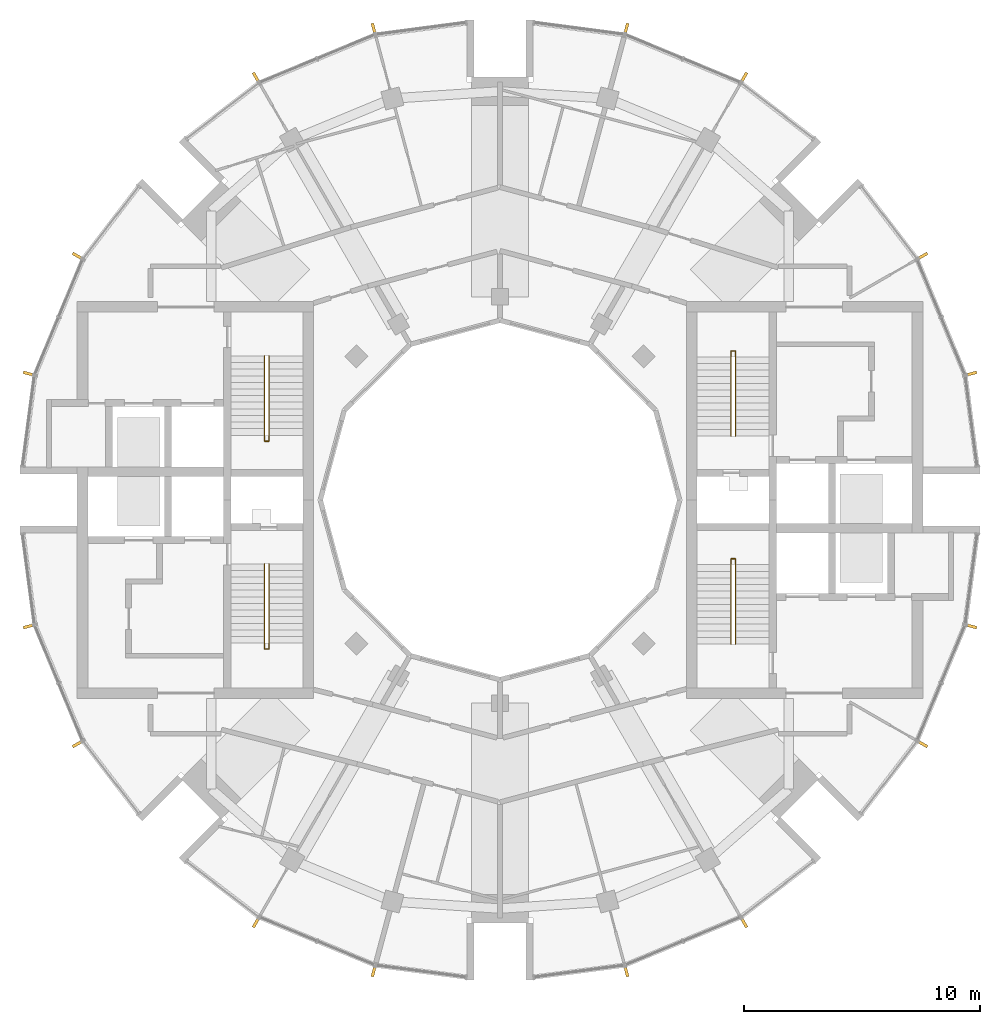
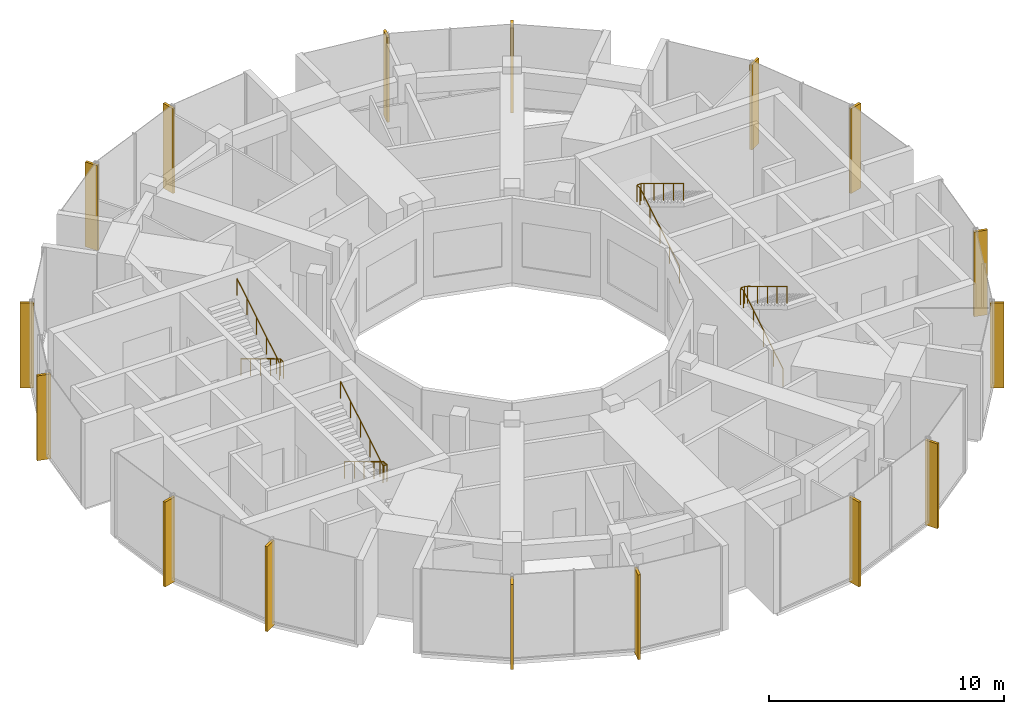
# One storey, part 12 of 13: 16 shading devices, 4 railings.
"""IFC4 building model written with IfcOpenShell, lengths in metres."""

from ifc_helpers import new_model, si_unit, direction, frame, origin, origin_2d, place, context, subcontext, project, spatial, rectangle, circle, extrude, material, material_profile, profile_set, type_object, element, save


model = new_model("IFC4")

# Units and contexts
model_context = context("Model", 3, precision=1e-05, world=origin(), true_north=direction((0.0, 1.0)))
body_context = subcontext(model_context, "Body", "Model", "MODEL_VIEW")
ifc_project = project(units=[si_unit("LENGTHUNIT", "METRE"), si_unit("AREAUNIT", "SQUARE_METRE"), si_unit("VOLUMEUNIT", "CUBIC_METRE"), si_unit("PLANEANGLEUNIT", "RADIAN"), si_unit("MASSUNIT", "GRAM", prefix="KILO")], contexts=[model_context])

# Site, building, storey
site_placement = place(None, origin())
site = spatial("IfcSite", under=ifc_project, at=site_placement, CompositionType="ELEMENT")
building_placement = place(site_placement, origin())
building = spatial("IfcBuilding", under=site, at=building_placement, Name="Torre Brocal", CompositionType="ELEMENT")
storey_placement = place(building_placement, frame((0.0, 0.0, 323.699951171875)))
storey = spatial("IfcBuildingStorey", under=building, at=storey_placement, Name="L74", CompositionType="ELEMENT", Elevation=323.699951171875)

# Shading devices
ifc_material_1 = material(Name="Aluminium, black anodised", Category="aluminium")
ifc_material_profile = material_profile(ifc_material_1, rectangle(XDim=0.1201171875, YDim=0.60009765625, at=origin_2d()), Name="FIN 120X600 4400 HIGH")
ifc_profile_set = profile_set([ifc_material_profile], Name="Aluminium, black anodised")
shading_device_type = type_object("IfcShadingDeviceType", Name="FIN 120X600 4400 HIGH", PredefinedType="USERDEFINED", material=ifc_profile_set)
for number, where, z_axis, x_axis, name in (
    (1, (99.896484375, 80.331298828125, -0.14990234375), (0.0, 0.0, 1.0), (-0.258819045103, 0.965925826289, 0.0), "FIN"),
    (2, (97.838623046875, 85.299072265625, -0.14990234375), (0.0, 0.0, 1.0), (-0.5, 0.866025403784, 0.0), "FIN"),
    (3, (90.299072265625, 92.838623046875, -0.14990234375), (0.0, 0.0, 1.0), (-0.866025403784, 0.5, 0.0), "FIN"),
    (4, (85.331298828125, 94.896484375, -0.14990234375), (0.0, 0.0, 1.0), (-0.965925826289, 0.258819045103, 0.0), "FIN"),
    (5, (74.668701171875, 94.896484375, -0.14990234375), (0.0, 0.0, 1.0), (-0.965925826289, -0.258819045103, 0.0), "FIN"),
    (6, (69.700927734375, 92.838623046875, -0.14990234375), (0.0, 0.0, 1.0), (-0.866025403784, -0.5, 0.0), "FIN"),
    (7, (62.161376953125, 85.299072265625, -0.14990234375), (0.0, 0.0, 1.0), (-0.5, -0.866025403784, 0.0), "FIN"),
    (8, (60.103515625, 80.331298828125, -0.14990234375), (0.0, 0.0, 1.0), (-0.258819045103, -0.965925826289, 0.0), "FIN"),
    (9, (60.103515625, 69.668701171875, -0.14990234375), (0.0, 0.0, 1.0), (0.258819045103, -0.965925826289, 0.0), "FIN"),
    (10, (62.161376953125, 64.700927734375, -0.14990234375), (0.0, 0.0, 1.0), (0.5, -0.866025403784, 0.0), "FIN"),
    (11, (69.700927734375, 57.161376953125, -0.14990234375), (0.0, 0.0, 1.0), (0.866025403784, -0.5, 0.0), "FIN"),
    (12, (74.668701171875, 55.103515625, -0.14990234375), (0.0, 0.0, 1.0), (0.965925826289, -0.258819045103, 0.0), "FIN"),
    (13, (85.331298828125, 55.103515625, -0.14990234375), (0.0, 0.0, 1.0), (0.965925826289, 0.258819045103, 0.0), "FIN"),
    (14, (90.299072265625, 57.161376953125, -0.14990234375), (0.0, 0.0, 1.0), (0.866025403784, 0.5, 0.0), "FIN"),
    (15, (97.838623046875, 64.700927734375, -0.14990234375), (0.0, 0.0, 1.0), (0.5, 0.866025403784, 0.0), "FIN"),
    (16, (99.896484375, 69.668701171875, -0.14990234375), (0.0, 0.0, 1.0), (0.258819045103, 0.965925826289, 0.0), "FIN"),
):
    element("IfcShadingDevice", number, at=place(storey_placement, frame(where, z_axis=z_axis, x_axis=x_axis)), inside=storey, type_object=shading_device_type, Name=name, ObjectType="FIN", PredefinedType="USERDEFINED", context=body_context, shape_type="SweptSolid", body=[
        extrude(rectangle(XDim=0.1201171875, YDim=0.60009765625, at=origin_2d()), origin(), (0.0, 0.0, 1.0), 4.39990234375),
    ])

# Railings
ifc_material_2 = material(Name="Stainless steel AISI 316", Category="steel")
railing_type = type_object("IfcRailingType", Name="STAIR HANDRAIL", PredefinedType="HANDRAIL", material=ifc_material_2)
railing_1_placement = place(storey_placement, frame((89.780029296875, 77.699951171875, 0.169189453125)))
element("IfcRailing", 17, at=railing_1_placement, inside=storey, type_object=railing_type, Name="HANDRAIL ST1", PredefinedType="HANDRAIL", context=body_context, shape_type="SweptSolid", body=[
    extrude(circle(Radius=0.02392578125, at=origin_2d()), frame((0.0, 0.0, 0.8759765625), z_axis=(0.0, 0.855836976705, 0.517245656632), x_axis=(-1.0, 0.0, 0.0)), (0.0, 0.0, 1.0), 3.926025390625),
    extrude(circle(Radius=0.02392578125, at=origin_2d()), frame((0.0, 3.360107421875, 2.90673828125), z_axis=(0.0, 1.0, 0.0), x_axis=(-1.0, 0.0, 0.0)), (0.0, 0.0, 1.0), 0.25),
    extrude(circle(Radius=0.02392578125, at=origin_2d()), frame((0.0, 3.610107421875, 2.90673828125), z_axis=(1.0, 0.0, 0.0), x_axis=(0.0, 1.0, 0.0)), (0.0, 0.0, 1.0), 0.18994140625),
    extrude(circle(Radius=0.02392578125, at=origin_2d()), frame((0.18994140625, 3.610107421875, 2.90673828125), z_axis=(0.0, -0.827797584762, 0.561026878735), x_axis=(1.0, 0.0, 0.0)), (0.0, 0.0, 1.0), 0.302001953125),
    extrude(circle(Radius=0.02392578125, at=origin_2d()), frame((0.18994140625, 3.360107421875, 3.076171875), z_axis=(0.0, -0.855836976705, 0.517245656632), x_axis=(1.0, 0.0, 0.0)), (0.0, 0.0, 1.0), 3.926025390625),
    extrude(circle(Radius=0.02099609375, at=origin_2d()), origin(), (0.0, 0.0, 1.0), 0.851806640625),
    extrude(circle(Radius=0.02099609375, at=origin_2d()), frame((0.0, 0.840087890625, 0.5078125)), (0.0, 0.0, 1.0), 0.851806640625),
    extrude(circle(Radius=0.02099609375, at=origin_2d()), frame((0.0, 1.68017578125, 1.015380859375)), (0.0, 0.0, 1.0), 0.851806640625),
    extrude(circle(Radius=0.02099609375, at=origin_2d()), frame((0.0, 2.52001953125, 1.52294921875)), (0.0, 0.0, 1.0), 0.851806640625),
    extrude(circle(Radius=0.02099609375, at=origin_2d()), frame((0.0, 3.360107421875, 2.03076171875)), (0.0, 0.0, 1.0), 0.851806640625),
    extrude(circle(Radius=0.02099609375, at=origin_2d()), frame((0.0, 3.610107421875, 2.03076171875)), (0.0, 0.0, 1.0), 0.851806640625),
    extrude(circle(Radius=0.02099609375, at=origin_2d()), frame((0.18994140625, 3.610107421875, 2.03076171875)), (0.0, 0.0, 1.0), 0.851806640625),
    extrude(circle(Radius=0.02099609375, at=origin_2d()), frame((0.18994140625, 3.360107421875, 2.2001953125)), (0.0, 0.0, 1.0), 0.851806640625),
    extrude(circle(Radius=0.02099609375, at=origin_2d()), frame((0.18994140625, 2.52001953125, 2.7080078125)), (0.0, 0.0, 1.0), 0.851806640625),
    extrude(circle(Radius=0.02099609375, at=origin_2d()), frame((0.18994140625, 1.68017578125, 3.215576171875)), (0.0, 0.0, 1.0), 0.851806640625),
    extrude(circle(Radius=0.02099609375, at=origin_2d()), frame((0.18994140625, 0.840087890625, 3.72314453125)), (0.0, 0.0, 1.0), 0.851806640625),
    extrude(circle(Radius=0.02099609375, at=origin_2d()), frame((0.18994140625, 0.0, 4.23095703125)), (0.0, 0.0, 1.0), 0.851806640625),
])
railing_2_placement = place(storey_placement, frame((89.780029296875, 68.89990234375, 0.169189453125)))
element("IfcRailing", 18, at=railing_2_placement, inside=storey, type_object=railing_type, Name="HANDRAIL ST2", PredefinedType="HANDRAIL", context=body_context, shape_type="SweptSolid", body=[
    extrude(circle(Radius=0.02392578125, at=origin_2d()), frame((0.0, 0.0, 0.8759765625), z_axis=(0.0, 0.855836976705, 0.517245656632), x_axis=(-1.0, 0.0, 0.0)), (0.0, 0.0, 1.0), 3.926025390625),
    extrude(circle(Radius=0.02392578125, at=origin_2d()), frame((0.0, 3.360107421875, 2.90673828125), z_axis=(0.0, 1.0, 0.0), x_axis=(-1.0, 0.0, 0.0)), (0.0, 0.0, 1.0), 0.25),
    extrude(circle(Radius=0.02392578125, at=origin_2d()), frame((0.0, 3.610107421875, 2.90673828125), z_axis=(1.0, 0.0, 0.0), x_axis=(0.0, 1.0, 0.0)), (0.0, 0.0, 1.0), 0.18994140625),
    extrude(circle(Radius=0.02392578125, at=origin_2d()), frame((0.18994140625, 3.610107421875, 2.90673828125), z_axis=(0.0, -0.827797584762, 0.561026878735), x_axis=(1.0, 0.0, 0.0)), (0.0, 0.0, 1.0), 0.302001953125),
    extrude(circle(Radius=0.02392578125, at=origin_2d()), frame((0.18994140625, 3.360107421875, 3.076171875), z_axis=(0.0, -0.855836976705, 0.517245656632), x_axis=(1.0, 0.0, 0.0)), (0.0, 0.0, 1.0), 3.926025390625),
    extrude(circle(Radius=0.02099609375, at=origin_2d()), origin(), (0.0, 0.0, 1.0), 0.851806640625),
    extrude(circle(Radius=0.02099609375, at=origin_2d()), frame((0.0, 0.840087890625, 0.5078125)), (0.0, 0.0, 1.0), 0.851806640625),
    extrude(circle(Radius=0.02099609375, at=origin_2d()), frame((0.0, 1.68017578125, 1.015380859375)), (0.0, 0.0, 1.0), 0.851806640625),
    extrude(circle(Radius=0.02099609375, at=origin_2d()), frame((0.0, 2.52001953125, 1.52294921875)), (0.0, 0.0, 1.0), 0.851806640625),
    extrude(circle(Radius=0.02099609375, at=origin_2d()), frame((0.0, 3.360107421875, 2.03076171875)), (0.0, 0.0, 1.0), 0.851806640625),
    extrude(circle(Radius=0.02099609375, at=origin_2d()), frame((0.0, 3.610107421875, 2.03076171875)), (0.0, 0.0, 1.0), 0.851806640625),
    extrude(circle(Radius=0.02099609375, at=origin_2d()), frame((0.18994140625, 3.610107421875, 2.03076171875)), (0.0, 0.0, 1.0), 0.851806640625),
    extrude(circle(Radius=0.02099609375, at=origin_2d()), frame((0.18994140625, 3.360107421875, 2.2001953125)), (0.0, 0.0, 1.0), 0.851806640625),
    extrude(circle(Radius=0.02099609375, at=origin_2d()), frame((0.18994140625, 2.52001953125, 2.7080078125)), (0.0, 0.0, 1.0), 0.851806640625),
    extrude(circle(Radius=0.02099609375, at=origin_2d()), frame((0.18994140625, 1.68017578125, 3.215576171875)), (0.0, 0.0, 1.0), 0.851806640625),
    extrude(circle(Radius=0.02099609375, at=origin_2d()), frame((0.18994140625, 0.840087890625, 3.72314453125)), (0.0, 0.0, 1.0), 0.851806640625),
    extrude(circle(Radius=0.02099609375, at=origin_2d()), frame((0.18994140625, 0.0, 4.23095703125)), (0.0, 0.0, 1.0), 0.851806640625),
])
railing_3_placement = place(storey_placement, frame((70.219970703125, 72.300048828125, 0.169189453125)))
element("IfcRailing", 19, at=railing_3_placement, inside=storey, type_object=railing_type, Name="HANDRAIL ST3", PredefinedType="HANDRAIL", context=body_context, shape_type="SweptSolid", body=[
    extrude(circle(Radius=0.02392578125, at=origin_2d()), frame((0.0, 0.0, 0.8759765625), z_axis=(0.0, -0.855836976705, 0.517245656632), x_axis=(1.0, 0.0, 0.0)), (0.0, 0.0, 1.0), 3.926025390625),
    extrude(circle(Radius=0.02392578125, at=origin_2d()), frame((0.0, -3.360107421875, 2.90673828125), z_axis=(0.0, -1.0, 0.0), x_axis=(1.0, 0.0, 0.0)), (0.0, 0.0, 1.0), 0.25),
    extrude(circle(Radius=0.02392578125, at=origin_2d()), frame((0.0, -3.610107421875, 2.90673828125), z_axis=(-1.0, 0.0, 0.0), x_axis=(0.0, -1.0, 0.0)), (0.0, 0.0, 1.0), 0.18994140625),
    extrude(circle(Radius=0.02392578125, at=origin_2d()), frame((-0.18994140625, -3.610107421875, 2.90673828125), z_axis=(0.0, 0.827797584762, 0.561026878735), x_axis=(-1.0, 0.0, 0.0)), (0.0, 0.0, 1.0), 0.302001953125),
    extrude(circle(Radius=0.02392578125, at=origin_2d()), frame((-0.18994140625, -3.360107421875, 3.076171875), z_axis=(0.0, 0.855836976705, 0.517245656632), x_axis=(-1.0, 0.0, 0.0)), (0.0, 0.0, 1.0), 3.926025390625),
    extrude(circle(Radius=0.02099609375, at=origin_2d()), origin(), (0.0, 0.0, 1.0), 0.851806640625),
    extrude(circle(Radius=0.02099609375, at=origin_2d()), frame((0.0, -0.840087890625, 0.5078125)), (0.0, 0.0, 1.0), 0.851806640625),
    extrude(circle(Radius=0.02099609375, at=origin_2d()), frame((0.0, -1.68017578125, 1.015380859375)), (0.0, 0.0, 1.0), 0.851806640625),
    extrude(circle(Radius=0.02099609375, at=origin_2d()), frame((0.0, -2.52001953125, 1.52294921875)), (0.0, 0.0, 1.0), 0.851806640625),
    extrude(circle(Radius=0.02099609375, at=origin_2d()), frame((0.0, -3.360107421875, 2.03076171875)), (0.0, 0.0, 1.0), 0.851806640625),
    extrude(circle(Radius=0.02099609375, at=origin_2d()), frame((0.0, -3.610107421875, 2.03076171875)), (0.0, 0.0, 1.0), 0.851806640625),
    extrude(circle(Radius=0.02099609375, at=origin_2d()), frame((-0.18994140625, -3.610107421875, 2.03076171875)), (0.0, 0.0, 1.0), 0.851806640625),
    extrude(circle(Radius=0.02099609375, at=origin_2d()), frame((-0.18994140625, -3.360107421875, 2.2001953125)), (0.0, 0.0, 1.0), 0.851806640625),
    extrude(circle(Radius=0.02099609375, at=origin_2d()), frame((-0.18994140625, -2.52001953125, 2.7080078125)), (0.0, 0.0, 1.0), 0.851806640625),
    extrude(circle(Radius=0.02099609375, at=origin_2d()), frame((-0.18994140625, -1.68017578125, 3.215576171875)), (0.0, 0.0, 1.0), 0.851806640625),
    extrude(circle(Radius=0.02099609375, at=origin_2d()), frame((-0.18994140625, -0.840087890625, 3.72314453125)), (0.0, 0.0, 1.0), 0.851806640625),
    extrude(circle(Radius=0.02099609375, at=origin_2d()), frame((-0.18994140625, 0.0, 4.23095703125)), (0.0, 0.0, 1.0), 0.851806640625),
])
railing_4_placement = place(storey_placement, frame((70.219970703125, 81.10009765625, 0.169189453125)))
element("IfcRailing", 20, at=railing_4_placement, inside=storey, type_object=railing_type, Name="HANDRAIL ST4", PredefinedType="HANDRAIL", context=body_context, shape_type="SweptSolid", body=[
    extrude(circle(Radius=0.02392578125, at=origin_2d()), frame((0.0, 0.0, 0.8759765625), z_axis=(0.0, -0.855836976705, 0.517245656632), x_axis=(1.0, 0.0, 0.0)), (0.0, 0.0, 1.0), 3.926025390625),
    extrude(circle(Radius=0.02392578125, at=origin_2d()), frame((0.0, -3.360107421875, 2.90673828125), z_axis=(0.0, -1.0, 0.0), x_axis=(1.0, 0.0, 0.0)), (0.0, 0.0, 1.0), 0.25),
    extrude(circle(Radius=0.02392578125, at=origin_2d()), frame((0.0, -3.610107421875, 2.90673828125), z_axis=(-1.0, 0.0, 0.0), x_axis=(0.0, -1.0, 0.0)), (0.0, 0.0, 1.0), 0.18994140625),
    extrude(circle(Radius=0.02392578125, at=origin_2d()), frame((-0.18994140625, -3.610107421875, 2.90673828125), z_axis=(0.0, 0.827797584762, 0.561026878735), x_axis=(-1.0, 0.0, 0.0)), (0.0, 0.0, 1.0), 0.302001953125),
    extrude(circle(Radius=0.02392578125, at=origin_2d()), frame((-0.18994140625, -3.360107421875, 3.076171875), z_axis=(0.0, 0.855836976705, 0.517245656632), x_axis=(-1.0, 0.0, 0.0)), (0.0, 0.0, 1.0), 3.926025390625),
    extrude(circle(Radius=0.02099609375, at=origin_2d()), origin(), (0.0, 0.0, 1.0), 0.851806640625),
    extrude(circle(Radius=0.02099609375, at=origin_2d()), frame((0.0, -0.840087890625, 0.5078125)), (0.0, 0.0, 1.0), 0.851806640625),
    extrude(circle(Radius=0.02099609375, at=origin_2d()), frame((0.0, -1.68017578125, 1.015380859375)), (0.0, 0.0, 1.0), 0.851806640625),
    extrude(circle(Radius=0.02099609375, at=origin_2d()), frame((0.0, -2.52001953125, 1.52294921875)), (0.0, 0.0, 1.0), 0.851806640625),
    extrude(circle(Radius=0.02099609375, at=origin_2d()), frame((0.0, -3.360107421875, 2.03076171875)), (0.0, 0.0, 1.0), 0.851806640625),
    extrude(circle(Radius=0.02099609375, at=origin_2d()), frame((0.0, -3.610107421875, 2.03076171875)), (0.0, 0.0, 1.0), 0.851806640625),
    extrude(circle(Radius=0.02099609375, at=origin_2d()), frame((-0.18994140625, -3.610107421875, 2.03076171875)), (0.0, 0.0, 1.0), 0.851806640625),
    extrude(circle(Radius=0.02099609375, at=origin_2d()), frame((-0.18994140625, -3.360107421875, 2.2001953125)), (0.0, 0.0, 1.0), 0.851806640625),
    extrude(circle(Radius=0.02099609375, at=origin_2d()), frame((-0.18994140625, -2.52001953125, 2.7080078125)), (0.0, 0.0, 1.0), 0.851806640625),
    extrude(circle(Radius=0.02099609375, at=origin_2d()), frame((-0.18994140625, -1.68017578125, 3.215576171875)), (0.0, 0.0, 1.0), 0.851806640625),
    extrude(circle(Radius=0.02099609375, at=origin_2d()), frame((-0.18994140625, -0.840087890625, 3.72314453125)), (0.0, 0.0, 1.0), 0.851806640625),
    extrude(circle(Radius=0.02099609375, at=origin_2d()), frame((-0.18994140625, 0.0, 4.23095703125)), (0.0, 0.0, 1.0), 0.851806640625),
])

save(model, "model.ifc")
